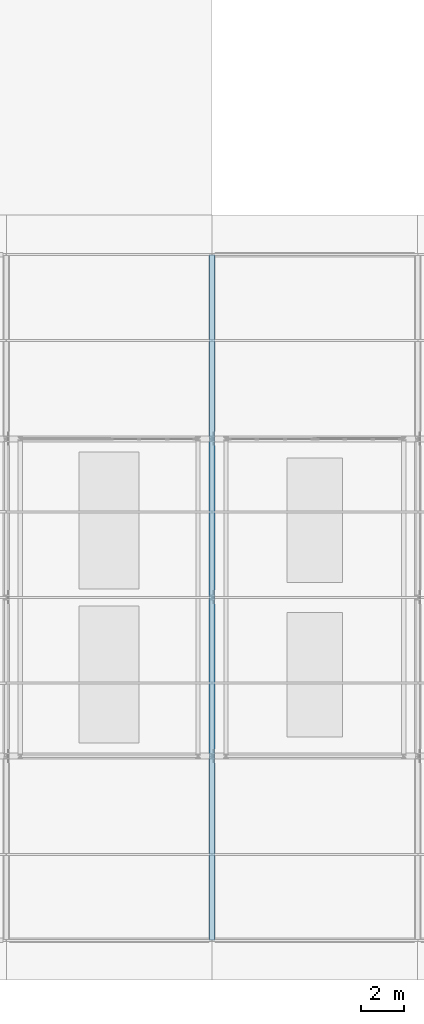
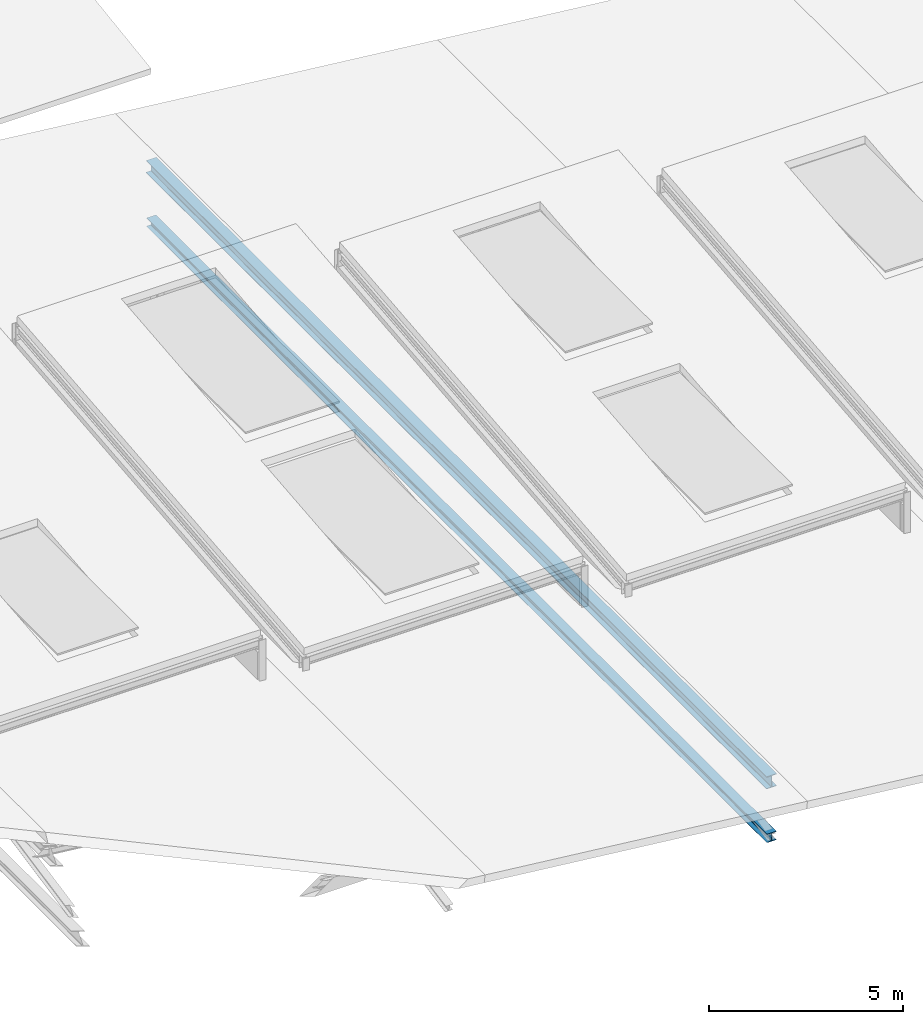
# One storey, part 15 of 30: 2 beams.
"""IFC4 building model written with IfcOpenShell, lengths in metres."""

from ifc_helpers import new_model, si_unit, direction, frame, origin, origin_2d, place, context, subcontext, project, spatial, i_section, extrude, material, material_profile, profile_set, type_object, element, save


model = new_model("IFC4")

# Units and contexts
model_context = context("Model", 3, precision=1e-05, world=origin(), true_north=direction((0.0, 1.0)))
body_context = subcontext(model_context, "Body", "Model", "MODEL_VIEW")
ifc_project = project(units=[si_unit("LENGTHUNIT", "METRE"), si_unit("AREAUNIT", "SQUARE_METRE"), si_unit("VOLUMEUNIT", "CUBIC_METRE"), si_unit("PLANEANGLEUNIT", "RADIAN"), si_unit("MASSUNIT", "GRAM", prefix="KILO")], contexts=[model_context])

# Site, building, storey
site_placement = place(None, origin())
site = spatial("IfcSite", under=ifc_project, at=site_placement, CompositionType="ELEMENT")
building_placement = place(site_placement, origin())
building = spatial("IfcBuilding", under=site, at=building_placement, Name="Alderhovde Museum", CompositionType="ELEMENT")
storey_placement = place(building_placement, frame((0.0, 0.0, 30.699951171875)))
storey = spatial("IfcBuildingStorey", under=building, at=storey_placement, Name="RF", CompositionType="ELEMENT", Elevation=30.699951171875)

# Beams
ifc_material_1 = material(Name="Steel S355J2", Category="steel")
ifc_material_profile_1 = material_profile(ifc_material_1, i_section(OverallWidth=0.280029296875, OverallDepth=0.27001953125, WebThickness=0.008056640625, FlangeThickness=0.012939453125, FilletRadius=0.02392578125, at=origin_2d()), Name="HEA 280")
ifc_profile_set_1 = profile_set([ifc_material_profile_1], Name="Steel S355J2")
beam_type_1 = type_object("IfcBeamType", Name="BM-HEA280", PredefinedType="BEAM", material=ifc_profile_set_1)
beam_1_placement = place(storey_placement, frame((48.0, 48.0, -6.635009765625), z_axis=(0.0, 1.0, 0.0), x_axis=(-1.0, 0.0, 0.0)))
element("IfcBeam", 1, at=beam_1_placement, inside=storey, type_object=beam_type_1, Name="Sawtooth Roof Truss X=48.0 Continuous Bottom Chord", PredefinedType="BEAM", context=body_context, shape_type="SweptSolid", body=[
    extrude(i_section(OverallWidth=0.280029296875, OverallDepth=0.27001953125, WebThickness=0.008056640625, FlangeThickness=0.012939453125, FilletRadius=0.02392578125, at=origin_2d()), origin(), (0.0, 0.0, 1.0), 32.0),
])
ifc_material_2 = material(Name="Steel S355J2", Category="steel")
ifc_material_profile_2 = material_profile(ifc_material_2, i_section(OverallWidth=0.300048828125, OverallDepth=0.389892578125, WebThickness=0.010986328125, FlangeThickness=0.01904296875, FilletRadius=0.027099609375, at=origin_2d()), Name="HEA 400")
ifc_profile_set_2 = profile_set([ifc_material_profile_2], Name="Steel S355J2")
beam_type_2 = type_object("IfcBeamType", Name="BM-HEA400", PredefinedType="BEAM", material=ifc_profile_set_2)
beam_2_placement = place(storey_placement, frame((48.0, 48.0, -4.885009765625), z_axis=(0.0, 1.0, 0.0), x_axis=(-1.0, 0.0, 0.0)))
element("IfcBeam", 2, at=beam_2_placement, inside=storey, type_object=beam_type_2, Name="Sawtooth Roof Truss X=48.0 Continuous Top Chord", PredefinedType="BEAM", context=body_context, shape_type="SweptSolid", body=[
    extrude(i_section(OverallWidth=0.300048828125, OverallDepth=0.389892578125, WebThickness=0.010986328125, FlangeThickness=0.01904296875, FilletRadius=0.027099609375, at=origin_2d()), origin(), (0.0, 0.0, 1.0), 32.0),
])

save(model, "model.ifc")
